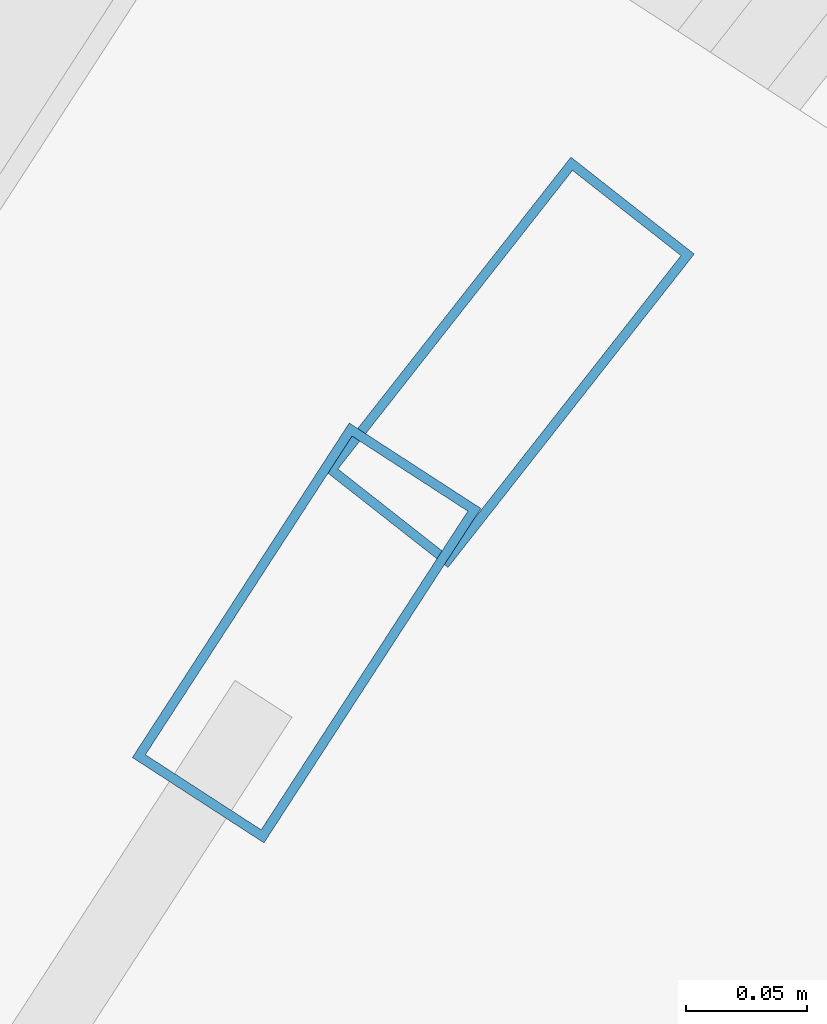
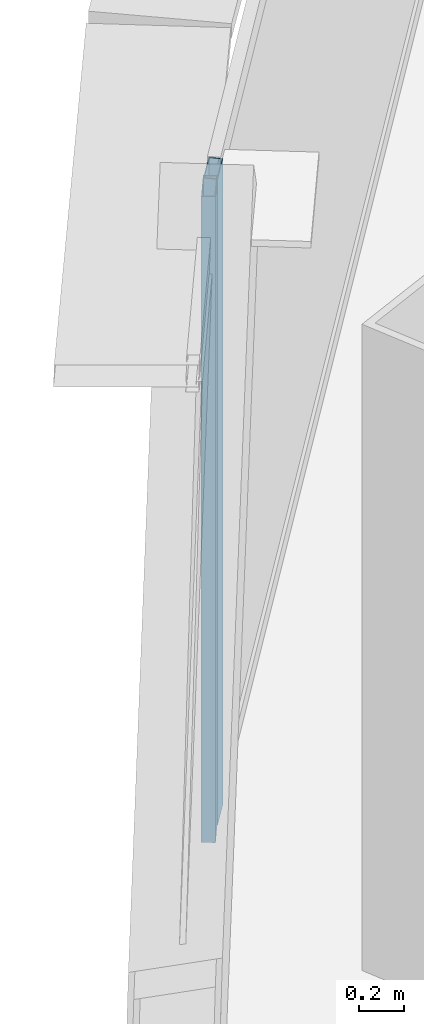
# One storey, part 16 of 36: 2 members, 2 elements without a shape of their own.
"""IFC4 building model written with IfcOpenShell, lengths in metres."""

import ifcopenshell
import ifcopenshell.guid

model = None  # the IFC model being written
_history = None  # IfcOwnerHistory: only IFC2X3 demands one
_inside = {}  # id of a spatial element -> (the spatial element, [elements in it])
_under = {}  # id of a project, library or spatial element -> (it, [spatial elements below it])
_declared = {}  # id of a project -> (the project, [libraries it declares])
_typed = {}  # id of a type object -> (the type object, [elements of that type])
_made_of = {}  # id of a material, layer set ... -> (it, [elements and type objects made of it])


def new_model(schema):
    """Start an empty IFC model of exactly this schema.

    Asked for "IFC4X3", IfcOpenShell would pick the latest addendum, in which some entities
    have other attributes; the version numbers below select the first issue.
    IFC2X3 requires an IfcOwnerHistory on every rooted entity: one is made here for all.
    """
    global model, _history
    if schema == "IFC4X3":
        model = ifcopenshell.file(schema_version=(4, 3, 0, 0))
    else:
        model = ifcopenshell.file(schema=schema)
    _inside.clear()
    _under.clear()
    _declared.clear()
    _typed.clear()
    _made_of.clear()
    _history = None
    if model.schema == "IFC2X3":
        org = make("IfcOrganization", Name="unknown")
        user = make(
            "IfcPersonAndOrganization",
            ThePerson=make("IfcPerson", FamilyName="unknown"),
            TheOrganization=org,
        )
        app = make(
            "IfcApplication",
            ApplicationDeveloper=org,
            Version="unknown",
            ApplicationFullName="unknown",
            ApplicationIdentifier="unknown",
        )
        _history = make(
            "IfcOwnerHistory",
            OwningUser=user,
            OwningApplication=app,
            ChangeAction="ADDED",
            CreationDate=0,
        )
    return model


def make(cls, **values):
    """One entity of the class cls with the attributes given. An attribute that is None is left unset."""
    return model.create_entity(
        cls, **{name: value for name, value in values.items() if value is not None}
    )


def rooted(cls, **values):
    """An entity with a GlobalId (a new one), such as an element, a storey or a relation."""
    return make(cls, GlobalId=ifcopenshell.guid.new(), OwnerHistory=_history, **values)


def si_unit(unit_type, name, prefix=None):
    """IfcSIUnit, for example si_unit("LENGTHUNIT", "METRE", prefix="MILLI")."""
    return make("IfcSIUnit", UnitType=unit_type, Prefix=prefix, Name=name)


def assignment(units):
    """IfcUnitAssignment: the units of a project."""
    return None if units is None else make("IfcUnitAssignment", Units=units)


def point(xyz):
    """IfcCartesianPoint."""
    return None if xyz is None else make("IfcCartesianPoint", Coordinates=xyz)


def direction(xyz):
    """IfcDirection."""
    return None if xyz is None else make("IfcDirection", DirectionRatios=xyz)


def frame(location, z_axis=None, x_axis=None):
    """IfcAxis2Placement3D, a coordinate frame: its origin and axes. An axis left out is left unset."""
    return make(
        "IfcAxis2Placement3D",
        Location=point(location),
        Axis=direction(z_axis),
        RefDirection=direction(x_axis),
    )


def frame_2d(location, x_axis=None):
    """IfcAxis2Placement2D, a coordinate frame in the plane: its origin and x axis."""
    return make(
        "IfcAxis2Placement2D", Location=point(location), RefDirection=direction(x_axis)
    )


def origin():
    """The frame at (0, 0, 0) with its axes left unset."""
    return frame((0.0, 0.0, 0.0))


def origin_2d():
    """The frame at (0, 0) in the plane with its x axis left unset."""
    return frame_2d((0.0, 0.0))


def place(relative_to, where):
    """IfcLocalPlacement: puts the frame where relative to a parent placement (None: the world)."""
    return make(
        "IfcLocalPlacement", PlacementRelTo=relative_to, RelativePlacement=where
    )


def context(
    kind, dimensions, precision=None, world=None, true_north=None, identifier=None
):
    """IfcGeometricRepresentationContext, for example the 3D "Model" context."""
    return make(
        "IfcGeometricRepresentationContext",
        ContextIdentifier=identifier,
        ContextType=kind,
        CoordinateSpaceDimension=dimensions,
        Precision=precision,
        WorldCoordinateSystem=world,
        TrueNorth=true_north,
    )


def subcontext(parent, identifier, kind, view, scale=None):
    """IfcGeometricRepresentationSubContext, for example "Body" below "Model"."""
    return make(
        "IfcGeometricRepresentationSubContext",
        ContextIdentifier=identifier,
        ContextType=kind,
        ParentContext=parent,
        TargetScale=scale,
        TargetView=view,
    )


def project(units=None, contexts=None):
    """IfcProject with its units and contexts."""
    return rooted(
        "IfcProject",
        Name="project",
        RepresentationContexts=contexts,
        UnitsInContext=assignment(units),
    )


def spatial(cls, under=None, at=None, **own):
    """A site, building, storey or space (cls), placed at a placement, below another one or the project."""
    s = rooted(cls, ObjectPlacement=at, **own)
    if under is not None:
        _under.setdefault(under.id(), (under, []))[1].append(s)
    return s


def profile(cls, at=None, kind="AREA", **sizes):
    """A parametric profile (cls). Its sizes go by their IFC names, for example OverallWidth=200.0."""
    return make(cls, ProfileType=kind, Position=at, **sizes)


def hollow_rectangle(**sizes):
    """IfcRectangleHollowProfileDef."""
    return profile("IfcRectangleHollowProfileDef", **sizes)


def extrude(swept, where, along, depth):
    """IfcExtrudedAreaSolid: the profile swept, set in the frame where, extruded along a direction by depth."""
    return make(
        "IfcExtrudedAreaSolid",
        SweptArea=swept,
        Position=where,
        ExtrudedDirection=direction(along),
        Depth=depth,
    )


def shape(context_of_items, identifier, shape_type, items):
    """IfcShapeRepresentation: the items that make up one representation, for example the "Body"."""
    return make(
        "IfcShapeRepresentation",
        ContextOfItems=context_of_items,
        RepresentationIdentifier=identifier,
        RepresentationType=shape_type,
        Items=items,
    )


def source(mapping_origin, context_of_items, identifier, shape_type, items):
    """IfcRepresentationMap: a shape defined once, which mapped items show again and again."""
    return make(
        "IfcRepresentationMap",
        MappingOrigin=mapping_origin,
        MappedRepresentation=shape(context_of_items, identifier, shape_type, items),
    )


def transform(
    local_origin,
    x_axis=None,
    y_axis=None,
    z_axis=None,
    scale=None,
    scale2=None,
    scale3=None,
    uniform=True,
):
    """IfcCartesianTransformationOperator3D, or its non-uniform kind. x_axis, y_axis, z_axis: its Axis1, 2, 3."""
    if uniform:
        return make(
            "IfcCartesianTransformationOperator3D",
            Axis1=direction(x_axis),
            Axis2=direction(y_axis),
            LocalOrigin=point(local_origin),
            Scale=scale,
            Axis3=direction(z_axis),
        )
    return make(
        "IfcCartesianTransformationOperator3DnonUniform",
        Axis1=direction(x_axis),
        Axis2=direction(y_axis),
        LocalOrigin=point(local_origin),
        Scale=scale,
        Axis3=direction(z_axis),
        Scale2=scale2,
        Scale3=scale3,
    )


def mapped(mapping_source, mapping_target):
    """IfcMappedItem: shows the shape of a source again, moved by a transform."""
    return make(
        "IfcMappedItem", MappingSource=mapping_source, MappingTarget=mapping_target
    )


def material(Name=None, Category=None):
    """IfcMaterial."""
    return make("IfcMaterial", Name=Name, Category=Category)


def layer(
    of_material, thickness, ventilated=None, Name=None, Category=None, Priority=None
):
    """IfcMaterialLayer: one layer of a wall or slab, of a material (None: an air gap)."""
    return make(
        "IfcMaterialLayer",
        Material=of_material,
        LayerThickness=thickness,
        IsVentilated=ventilated,
        Name=Name,
        Category=Category,
        Priority=Priority,
    )


def layer_set(layers, Name=None):
    """IfcMaterialLayerSet."""
    return make("IfcMaterialLayerSet", MaterialLayers=layers, LayerSetName=Name)


def material_profile(
    of_material, cross_section, Name=None, Category=None, Priority=None
):
    """IfcMaterialProfile: a cross section and its material."""
    return make(
        "IfcMaterialProfile",
        Name=Name,
        Material=of_material,
        Profile=cross_section,
        Priority=Priority,
        Category=Category,
    )


def profile_set(profiles, Name=None, composite=None):
    """IfcMaterialProfileSet."""
    return make(
        "IfcMaterialProfileSet",
        Name=Name,
        MaterialProfiles=profiles,
        CompositeProfile=composite,
    )


def made_of(thing, what):
    """Note that an element or type object is made of a material, layer set ...; save() writes the relation."""
    if what is not None:
        _made_of.setdefault(what.id(), (what, []))[1].append(thing)
    return thing


def type_object(cls, material=None, **own):
    """A type object (cls), such as IfcWallType, which elements share."""
    return made_of(rooted(cls, **own), material)


def element(
    cls,
    number,
    at=None,
    inside=None,
    cuts=None,
    type_object=None,
    material=None,
    context=None,
    identifier="Body",
    shape_type=None,
    held_by="IfcProductDefinitionShape",
    body=None,
    shapes=None,
    **own,
):
    """One element of the class cls, such as IfcWall. Its Tag is "e" and its number.

    at: its placement. inside: the storey or other place that contains it. cuts: it is an
    opening in that element (IfcRelVoidsElement). A single representation is given by context,
    identifier, shape_type and body (its items); several are given by shapes. held_by: the class
    of the entity that holds the representations. save() writes the other relations.
    """
    e = rooted(cls, Tag="e%d" % number, ObjectPlacement=at, **own)
    if body is not None:
        shapes = [shape(context, identifier, shape_type, body)]
    if shapes is not None:
        e.Representation = make(held_by, Representations=shapes)
    if inside is not None:
        _inside.setdefault(inside.id(), (inside, []))[1].append(e)
    if cuts is not None:
        rooted(
            "IfcRelVoidsElement", RelatingBuildingElement=cuts, RelatedOpeningElement=e
        )
    if type_object is not None:
        _typed.setdefault(type_object.id(), (type_object, []))[1].append(e)
    return made_of(e, material)


def aggregate(whole, parts):
    """IfcRelAggregates: a whole, such as a stair, and the parts it consists of."""
    return rooted("IfcRelAggregates", RelatingObject=whole, RelatedObjects=parts)


def save(model, path):
    """Write the relations noted so far, then the file.

    IfcRelAggregates (storeys below a building ...), IfcRelContainedInSpatialStructure (elements
    in a storey), IfcRelDefinesByType, IfcRelAssociatesMaterial and IfcRelDeclares: one each for
    every whole, place, type object, material and project.
    """
    for whole, parts in _under.values():
        aggregate(whole, parts)
    for where, things in _inside.values():
        rooted(
            "IfcRelContainedInSpatialStructure",
            RelatedElements=things,
            RelatingStructure=where,
        )
    for kind, things in _typed.values():
        rooted("IfcRelDefinesByType", RelatedObjects=things, RelatingType=kind)
    for what, things in _made_of.values():
        rooted("IfcRelAssociatesMaterial", RelatedObjects=things, RelatingMaterial=what)
    for by, libraries in _declared.values():
        rooted("IfcRelDeclares", RelatingContext=by, RelatedDefinitions=libraries)
    model.write(path)


model = new_model("IFC4")

# Units and contexts
model_context = context("Model", 3, precision=1e-05, world=origin(), true_north=direction((0.0, 1.0)))
body_context = subcontext(model_context, "Body", "Model", "MODEL_VIEW")
ifc_project = project(units=[si_unit("LENGTHUNIT", "METRE"), si_unit("AREAUNIT", "SQUARE_METRE"), si_unit("VOLUMEUNIT", "CUBIC_METRE"), si_unit("PLANEANGLEUNIT", "RADIAN"), si_unit("MASSUNIT", "GRAM", prefix="KILO"), si_unit("THERMODYNAMICTEMPERATUREUNIT", "KELVIN"), si_unit("POWERUNIT", "WATT")], contexts=[model_context])

# Site, building, storey
site_placement = place(None, origin())
site = spatial("IfcSite", under=ifc_project, at=site_placement, CompositionType="ELEMENT")
building_placement = place(site_placement, origin())
building = spatial("IfcBuilding", under=site, at=building_placement, Name="Yunzhuo Pagoda Commons", CompositionType="ELEMENT")
storey_placement = place(building_placement, frame((0.0, 0.0, 107.780029296875)))
storey = spatial("IfcBuildingStorey", under=building, at=storey_placement, Name="L27", CompositionType="ELEMENT", Elevation=107.780029296875)

# Curtain wall, member
ifc_material = material(Name="Anodized aluminium 6063-T6", Category="aluminium")
ifc_layer = layer(ifc_material, 0.1650390625)
ifc_layer_set = layer_set([ifc_layer], Name="Anodized aluminium 6063-T6")
curtain_wall_type = type_object("IfcCurtainWallType", Name="CW-LOW Low-Zone Ribbon Curtain Wall", PredefinedType="NOTDEFINED", material=ifc_layer_set)
curtain_wall_1_placement = place(storey_placement, origin())
curtain_wall_1 = element("IfcCurtainWall", 1, at=curtain_wall_1_placement, inside=storey, type_object=curtain_wall_type, Name="L27 curtain wall CW-L27-F3B2", PredefinedType="NOTDEFINED")
ifc_material_profile = material_profile(ifc_material, hollow_rectangle(XDim=0.06494140625, YDim=0.1650390625, WallThickness=0.00390625, at=origin_2d()), Name="Anodized aluminium 6063-T6")
ifc_profile_set = profile_set([ifc_material_profile], Name="Anodized aluminium 6063-T6")
member_type = type_object("IfcMemberType", Name="CW-LOW-M Mullion RHS 165x65x4", PredefinedType="MULLION", material=ifc_profile_set)
shared_shape = source(origin(), body_context, "Body", "SweptSolid", [
    extrude(hollow_rectangle(XDim=0.06494140625, YDim=0.1650390625, WallThickness=0.00390625, at=origin_2d()), origin(), (0.0, 0.0, 1.0), 3.5400390625),
])
member_1_placement = place(storey_placement, frame((31.34619140625, 71.038330078125, 0.0), z_axis=(0.0, 0.0, 1.0), x_axis=(0.839039875799, -0.544069928244, 0.0)))
member_1 = element("IfcMember", 2, at=member_1_placement, type_object=member_type, Name="CW mullion 1", PredefinedType="MULLION", context=body_context, shape_type="MappedRepresentation", body=[
    mapped(shared_shape, transform((0.0, 0.0, 0.0), scale=1.0)),
])
aggregate(curtain_wall_1, [member_1])

curtain_wall_2_placement = place(storey_placement, origin())
curtain_wall_2 = element("IfcCurtainWall", 3, at=curtain_wall_2_placement, inside=storey, type_object=curtain_wall_type, Name="L27 curtain wall CW-L27-F3B1", PredefinedType="NOTDEFINED")
member_2_placement = place(storey_placement, frame((31.43017578125, 71.150390625, 0.0), z_axis=(0.0, 0.0, 1.0), x_axis=(0.786301112862, -0.617843475253, 0.0)))
member_2 = element("IfcMember", 4, at=member_2_placement, type_object=member_type, Name="CW mullion 2", PredefinedType="MULLION", context=body_context, shape_type="MappedRepresentation", body=[
    mapped(shared_shape, transform((0.0, 0.0, 0.0), scale=1.0)),
])
aggregate(curtain_wall_2, [member_2])

save(model, "model.ifc")
